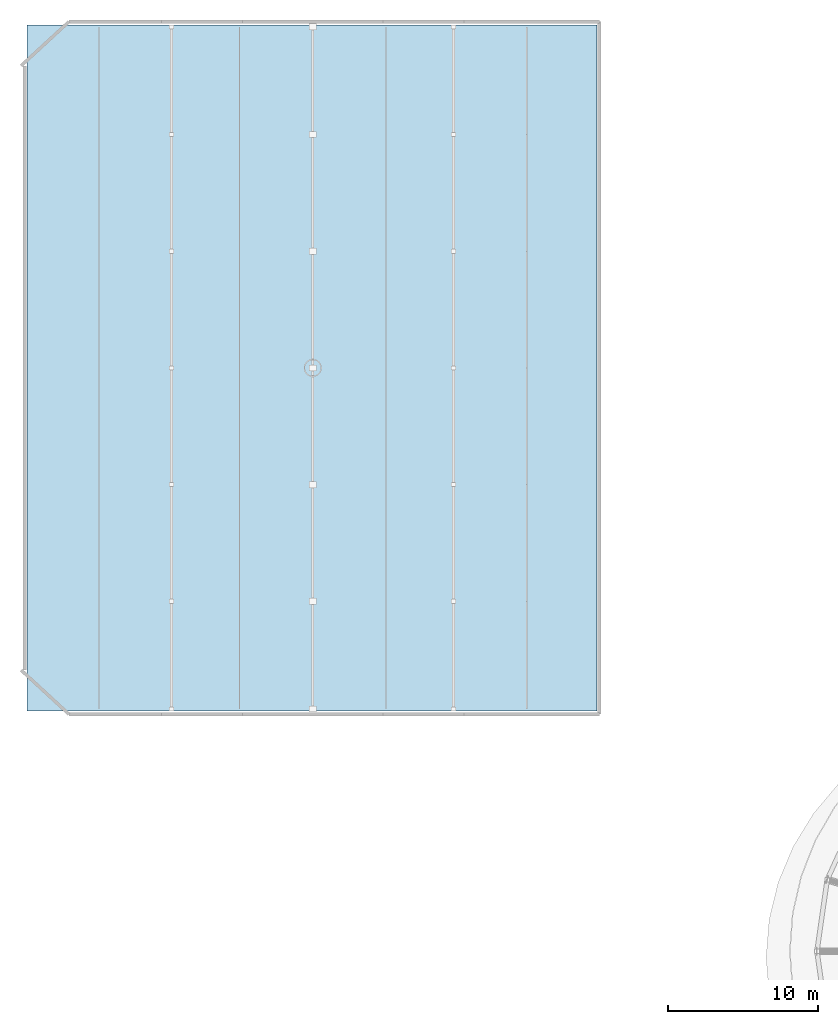
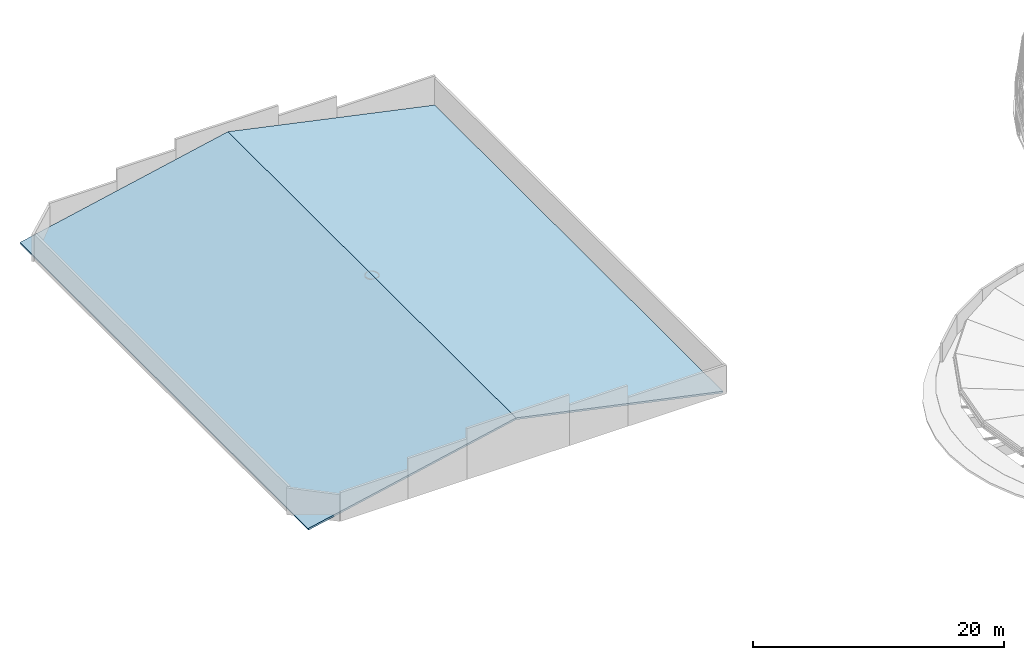
# One storey, part 44 of 69: 2 slabs.
"""IFC4 building model written with IfcOpenShell, lengths in metres."""

from ifc_helpers import new_model, si_unit, direction, frame, origin, place, context, subcontext, project, spatial, polyline, outline, extrude, material, layer, layer_set, type_object, element, save


model = new_model("IFC4")

# Units and contexts
model_context = context("Model", 3, precision=1e-05, world=origin(), true_north=direction((0.0, 1.0)))
body_context = subcontext(model_context, "Body", "Model", "MODEL_VIEW")
ifc_project = project(units=[si_unit("LENGTHUNIT", "METRE"), si_unit("AREAUNIT", "SQUARE_METRE"), si_unit("VOLUMEUNIT", "CUBIC_METRE"), si_unit("PLANEANGLEUNIT", "RADIAN"), si_unit("MASSUNIT", "GRAM", prefix="KILO")], contexts=[model_context])

# Site, building, storey
site_placement = place(None, origin())
site = spatial("IfcSite", under=ifc_project, at=site_placement, CompositionType="ELEMENT")
building_placement = place(site_placement, origin())
building = spatial("IfcBuilding", under=site, at=building_placement, Name="Pelvatis Terrace Science Centre", CompositionType="ELEMENT")
storey_placement = place(building_placement, frame((0.0, 0.0, 15.0)))
storey = spatial("IfcBuildingStorey", under=building, at=storey_placement, Name="L03", CompositionType="ELEMENT", Elevation=15.0)

# Slabs
ifc_material = material(Name="Concrete C35/45", Category="concrete")
ifc_layer = layer(ifc_material, 0.175048828125)
ifc_layer_set = layer_set([ifc_layer], Name="Concrete C35/45")
slab_type = type_object("IfcSlabType", Name="SLB-THTR-175", PredefinedType="ROOF", material=ifc_layer_set)
slab_1_placement = place(storey_placement, frame((8.199951171875, 70.679931640625, 0.080078125), z_axis=(-0.20816108564, 0.0, 0.978094556996), x_axis=(0.978094556996, 0.0, 0.20816108564)))
element("IfcSlab", 1, at=slab_1_placement, inside=storey, type_object=slab_type, Name="Science Theatre west 12-degree pitched roof slab", PredefinedType="ROOF", context=body_context, shape_type="SweptSolid", body=[
    extrude(outline(polyline([(0.0, 0.0), (19.527864171857928, 0.0), (19.527864171857928, 45.840087890625), (0.0, 45.840087890625), (0.0, 0.0)])), origin(), (0.0, 0.0, -1.0), 0.175048828125),
])
slab_2_placement = place(storey_placement, frame((27.300048828125, 70.679931640625, 4.14501953125), z_axis=(0.209209861288, 0.0, 0.977870765459), x_axis=(0.977870765459, 0.0, -0.209209861288)))
element("IfcSlab", 2, at=slab_2_placement, inside=storey, type_object=slab_type, Name="Science Theatre east 12-degree pitched roof slab", PredefinedType="ROOF", context=body_context, shape_type="SweptSolid", body=[
    extrude(outline(polyline([(0.0, 0.0), (19.429970371471125, 0.0), (19.429970371471125, 45.840087890625), (0.0, 45.840087890625), (0.0, 0.0)])), origin(), (0.0, 0.0, -1.0), 0.175048828125),
])

save(model, "model.ifc")
